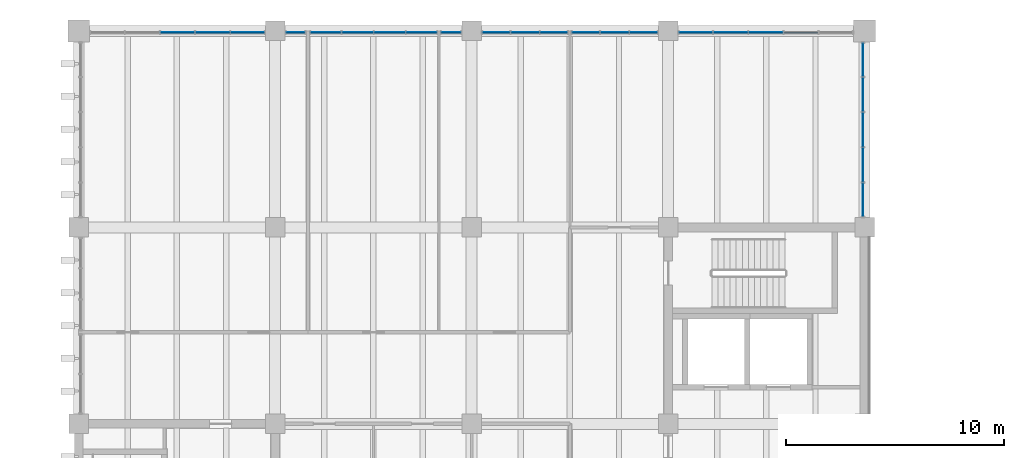
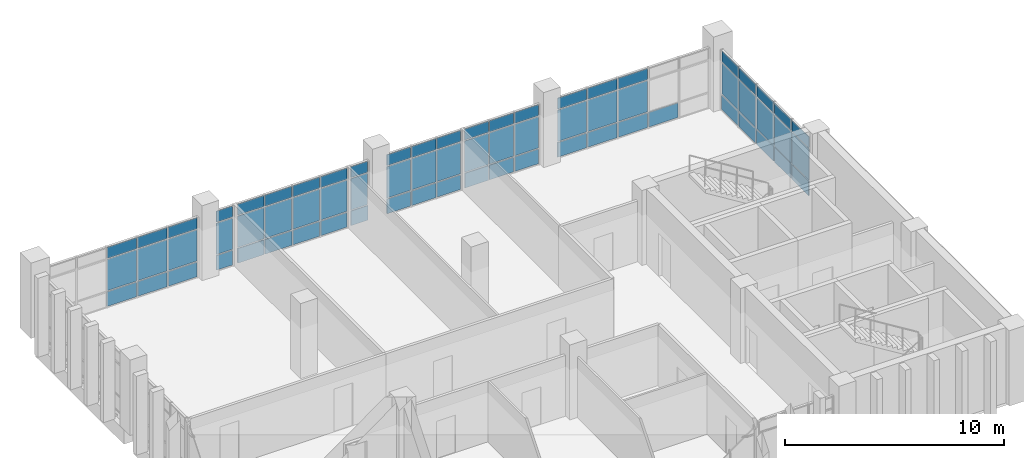
# One storey, part 39 of 74: 70 plates, 8 elements without a shape of their own.
"""IFC4 building model written with IfcOpenShell, lengths in metres."""

from ifc_helpers import new_model, si_unit, direction, frame, origin, origin_2d, place, context, subcontext, project, spatial, rectangle, extrude, material, layer, layer_set, type_object, element, aggregate, save


model = new_model("IFC4")

# Units and contexts
model_context = context("Model", 3, precision=1e-05, world=origin(), true_north=direction((0.0, 1.0)))
body_context = subcontext(model_context, "Body", "Model", "MODEL_VIEW")
ifc_project = project(units=[si_unit("LENGTHUNIT", "METRE"), si_unit("AREAUNIT", "SQUARE_METRE"), si_unit("VOLUMEUNIT", "CUBIC_METRE"), si_unit("PLANEANGLEUNIT", "RADIAN"), si_unit("MASSUNIT", "GRAM", prefix="KILO")], contexts=[model_context])

# Site, building, storey
site_placement = place(None, origin())
site = spatial("IfcSite", under=ifc_project, at=site_placement, CompositionType="ELEMENT")
building_placement = place(site_placement, origin())
building = spatial("IfcBuilding", under=site, at=building_placement, Name="Merrow Basin Faculty of Sciences", CompositionType="ELEMENT")
storey_placement = place(building_placement, frame((0.0, 0.0, 13.5)))
storey = spatial("IfcBuildingStorey", under=building, at=storey_placement, Name="L03", CompositionType="ELEMENT", Elevation=13.5)

# Curtain wall, plates
ifc_material_1 = material(Name="Aluminium alloy 6063", Category="aluminium")
curtain_wall_type = type_object("IfcCurtainWallType", Name="Unitised curtain wall 160", PredefinedType="NOTDEFINED", material=ifc_material_1)
curtain_wall_1_placement = place(storey_placement, origin())
curtain_wall_1 = element("IfcCurtainWall", 1, at=curtain_wall_1_placement, inside=storey, type_object=curtain_wall_type, Name="N curtain wall L03 1", PredefinedType="NOTDEFINED")
ifc_material_2 = material(Name="Insulated aluminium spandrel panel", Category="aluminium")
ifc_layer_1 = layer(ifc_material_2, 0.052001953125)
ifc_layer_set_1 = layer_set([ifc_layer_1], Name="Insulated spandrel panel 52")
plate_type_1 = type_object("IfcPlateType", Name="Insulated spandrel panel 52", PredefinedType="CURTAIN_PANEL", material=ifc_layer_set_1)
plate_1_placement = place(storey_placement, frame((22.52490234375, 168.919921875, 0.06005859375), z_axis=(0.0, 0.0, 1.0), x_axis=(1.0, 0.0, 0.0)))
plate_1 = element("IfcPlate", 2, at=plate_1_placement, type_object=plate_type_1, Name="CW3 panel 3.1", PredefinedType="CURTAIN_PANEL", context=body_context, shape_type="SweptSolid", body=[
    extrude(rectangle(XDim=1.550048828125, YDim=0.052001953125, at=origin_2d()), origin(), (0.0, 0.0, 1.0), 0.81005859375),
])
plate_2_placement = place(storey_placement, frame((24.135009765625, 168.919921875, 0.06005859375), z_axis=(0.0, 0.0, 1.0), x_axis=(1.0, 0.0, 0.0)))
plate_2 = element("IfcPlate", 3, at=plate_2_placement, type_object=plate_type_1, Name="CW3 panel 4.1", PredefinedType="CURTAIN_PANEL", context=body_context, shape_type="SweptSolid", body=[
    extrude(rectangle(XDim=1.550048828125, YDim=0.052001953125, at=origin_2d()), origin(), (0.0, 0.0, 1.0), 0.81005859375),
])
plate_3_placement = place(storey_placement, frame((25.72998046875, 168.919921875, 0.06005859375), z_axis=(0.0, 0.0, 1.0), x_axis=(1.0, 0.0, 0.0)))
plate_3 = element("IfcPlate", 4, at=plate_3_placement, type_object=plate_type_1, Name="CW3 panel 5.1", PredefinedType="CURTAIN_PANEL", context=body_context, shape_type="SweptSolid", body=[
    extrude(rectangle(XDim=1.52001953125, YDim=0.052001953125, at=origin_2d()), origin(), (0.0, 0.0, 1.0), 0.81005859375),
])

# Curtain wall, plate
curtain_wall_2_placement = place(storey_placement, origin())
curtain_wall_2 = element("IfcCurtainWall", 5, at=curtain_wall_2_placement, inside=storey, type_object=curtain_wall_type, Name="N curtain wall L03 2", PredefinedType="NOTDEFINED")
plate_4_placement = place(storey_placement, frame((27.9375, 168.919921875, 0.06005859375), z_axis=(0.0, 0.0, 1.0), x_axis=(1.0, 0.0, 0.0)))
plate_4 = element("IfcPlate", 6, at=plate_4_placement, type_object=plate_type_1, Name="CW3 panel 1.1", PredefinedType="CURTAIN_PANEL", context=body_context, shape_type="SweptSolid", body=[
    extrude(rectangle(XDim=0.85498046875, YDim=0.052001953125, at=origin_2d()), origin(), (0.0, 0.0, 1.0), 0.81005859375),
])

# Curtain wall, plates
curtain_wall_3_placement = place(storey_placement, origin())
curtain_wall_3 = element("IfcCurtainWall", 7, at=curtain_wall_3_placement, inside=storey, type_object=curtain_wall_type, Name="N curtain wall L03 3", PredefinedType="NOTDEFINED")
plate_5_placement = place(storey_placement, frame((29.324462890625, 168.919921875, 0.06005859375), z_axis=(0.0, 0.0, 1.0), x_axis=(1.0, 0.0, 0.0)))
plate_5 = element("IfcPlate", 8, at=plate_5_placement, type_object=plate_type_1, Name="CW3 panel 1.1", PredefinedType="CURTAIN_PANEL", context=body_context, shape_type="SweptSolid", body=[
    extrude(rectangle(XDim=1.378662109375, YDim=0.052001953125, at=origin_2d()), origin(), (0.0, 0.0, 1.0), 0.81005859375),
])
plate_6_placement = place(storey_placement, frame((30.778076171875, 168.919921875, 0.06005859375), z_axis=(0.0, 0.0, 1.0), x_axis=(1.0, 0.0, 0.0)))
plate_6 = element("IfcPlate", 9, at=plate_6_placement, type_object=plate_type_1, Name="CW3 panel 2.1", PredefinedType="CURTAIN_PANEL", context=body_context, shape_type="SweptSolid", body=[
    extrude(rectangle(XDim=1.40869140625, YDim=0.052001953125, at=origin_2d()), origin(), (0.0, 0.0, 1.0), 0.81005859375),
])
plate_7_placement = place(storey_placement, frame((32.246826171875, 168.919921875, 0.06005859375), z_axis=(0.0, 0.0, 1.0), x_axis=(1.0, 0.0, 0.0)))
plate_7 = element("IfcPlate", 10, at=plate_7_placement, type_object=plate_type_1, Name="CW3 panel 3.1", PredefinedType="CURTAIN_PANEL", context=body_context, shape_type="SweptSolid", body=[
    extrude(rectangle(XDim=1.40869140625, YDim=0.052001953125, at=origin_2d()), origin(), (0.0, 0.0, 1.0), 0.81005859375),
])
plate_8_placement = place(storey_placement, frame((33.70068359375, 168.919921875, 0.06005859375), z_axis=(0.0, 0.0, 1.0), x_axis=(1.0, 0.0, 0.0)))
plate_8 = element("IfcPlate", 11, at=plate_8_placement, type_object=plate_type_1, Name="CW3 panel 4.1", PredefinedType="CURTAIN_PANEL", context=body_context, shape_type="SweptSolid", body=[
    extrude(rectangle(XDim=1.378662109375, YDim=0.052001953125, at=origin_2d()), origin(), (0.0, 0.0, 1.0), 0.81005859375),
])

# Curtain wall, plate
curtain_wall_4_placement = place(storey_placement, origin())
curtain_wall_4 = element("IfcCurtainWall", 12, at=curtain_wall_4_placement, inside=storey, type_object=curtain_wall_type, Name="N curtain wall L03 4", PredefinedType="NOTDEFINED")
plate_9_placement = place(storey_placement, frame((35.050048828125, 168.919921875, 0.06005859375), z_axis=(0.0, 0.0, 1.0), x_axis=(1.0, 0.0, 0.0)))
plate_9 = element("IfcPlate", 13, at=plate_9_placement, type_object=plate_type_1, Name="CW3 panel 1.1", PredefinedType="CURTAIN_PANEL", context=body_context, shape_type="SweptSolid", body=[
    extrude(rectangle(XDim=0.8798828125, YDim=0.052001953125, at=origin_2d()), origin(), (0.0, 0.0, 1.0), 0.81005859375),
])

# Curtain wall, plates
curtain_wall_5_placement = place(storey_placement, origin())
curtain_wall_5 = element("IfcCurtainWall", 14, at=curtain_wall_5_placement, inside=storey, type_object=curtain_wall_type, Name="N curtain wall L03 5", PredefinedType="NOTDEFINED")
plate_10_placement = place(storey_placement, frame((37.131591796875, 168.919921875, 0.06005859375), z_axis=(0.0, 0.0, 1.0), x_axis=(1.0, 0.0, 0.0)))
plate_10 = element("IfcPlate", 15, at=plate_10_placement, type_object=plate_type_1, Name="CW3 panel 1.1", PredefinedType="CURTAIN_PANEL", context=body_context, shape_type="SweptSolid", body=[
    extrude(rectangle(XDim=1.243408203125, YDim=0.052001953125, at=origin_2d()), origin(), (0.0, 0.0, 1.0), 0.81005859375),
])
plate_11_placement = place(storey_placement, frame((38.449951171875, 168.919921875, 0.06005859375), z_axis=(0.0, 0.0, 1.0), x_axis=(1.0, 0.0, 0.0)))
plate_11 = element("IfcPlate", 16, at=plate_11_placement, type_object=plate_type_1, Name="CW3 panel 2.1", PredefinedType="CURTAIN_PANEL", context=body_context, shape_type="SweptSolid", body=[
    extrude(rectangle(XDim=1.2734375, YDim=0.052001953125, at=origin_2d()), origin(), (0.0, 0.0, 1.0), 0.81005859375),
])
plate_12_placement = place(storey_placement, frame((39.768310546875, 168.919921875, 0.06005859375), z_axis=(0.0, 0.0, 1.0), x_axis=(1.0, 0.0, 0.0)))
plate_12 = element("IfcPlate", 17, at=plate_12_placement, type_object=plate_type_1, Name="CW3 panel 3.1", PredefinedType="CURTAIN_PANEL", context=body_context, shape_type="SweptSolid", body=[
    extrude(rectangle(XDim=1.243408203125, YDim=0.052001953125, at=origin_2d()), origin(), (0.0, 0.0, 1.0), 0.81005859375),
])

curtain_wall_6_placement = place(storey_placement, origin())
curtain_wall_6 = element("IfcCurtainWall", 18, at=curtain_wall_6_placement, inside=storey, type_object=curtain_wall_type, Name="N curtain wall L03 6", PredefinedType="NOTDEFINED")
plate_13_placement = place(storey_placement, frame((41.231689453125, 168.919921875, 0.06005859375), z_axis=(0.0, 0.0, 1.0), x_axis=(1.0, 0.0, 0.0)))
plate_13 = element("IfcPlate", 19, at=plate_13_placement, type_object=plate_type_1, Name="CW3 panel 1.1", PredefinedType="CURTAIN_PANEL", context=body_context, shape_type="SweptSolid", body=[
    extrude(rectangle(XDim=1.243408203125, YDim=0.052001953125, at=origin_2d()), origin(), (0.0, 0.0, 1.0), 0.81005859375),
])
plate_14_placement = place(storey_placement, frame((42.550048828125, 168.919921875, 0.06005859375), z_axis=(0.0, 0.0, 1.0), x_axis=(1.0, 0.0, 0.0)))
plate_14 = element("IfcPlate", 20, at=plate_14_placement, type_object=plate_type_1, Name="CW3 panel 2.1", PredefinedType="CURTAIN_PANEL", context=body_context, shape_type="SweptSolid", body=[
    extrude(rectangle(XDim=1.2734375, YDim=0.052001953125, at=origin_2d()), origin(), (0.0, 0.0, 1.0), 0.81005859375),
])
plate_15_placement = place(storey_placement, frame((43.868408203125, 168.919921875, 0.06005859375), z_axis=(0.0, 0.0, 1.0), x_axis=(1.0, 0.0, 0.0)))
plate_15 = element("IfcPlate", 21, at=plate_15_placement, type_object=plate_type_1, Name="CW3 panel 3.1", PredefinedType="CURTAIN_PANEL", context=body_context, shape_type="SweptSolid", body=[
    extrude(rectangle(XDim=1.243408203125, YDim=0.052001953125, at=origin_2d()), origin(), (0.0, 0.0, 1.0), 0.81005859375),
])

curtain_wall_7_placement = place(storey_placement, origin())
curtain_wall_7 = element("IfcCurtainWall", 22, at=curtain_wall_7_placement, inside=storey, type_object=curtain_wall_type, Name="N curtain wall L03 7", PredefinedType="NOTDEFINED")
plate_16_placement = place(storey_placement, frame((46.27001953125, 168.919921875, 0.06005859375), z_axis=(0.0, 0.0, 1.0), x_axis=(1.0, 0.0, 0.0)))
plate_16 = element("IfcPlate", 23, at=plate_16_placement, type_object=plate_type_1, Name="CW3 panel 1.1", PredefinedType="CURTAIN_PANEL", context=body_context, shape_type="SweptSolid", body=[
    extrude(rectangle(XDim=1.52001953125, YDim=0.052001953125, at=origin_2d()), origin(), (0.0, 0.0, 1.0), 0.81005859375),
])
plate_17_placement = place(storey_placement, frame((47.864990234375, 168.919921875, 0.06005859375), z_axis=(0.0, 0.0, 1.0), x_axis=(1.0, 0.0, 0.0)))
plate_17 = element("IfcPlate", 24, at=plate_17_placement, type_object=plate_type_1, Name="CW3 panel 2.1", PredefinedType="CURTAIN_PANEL", context=body_context, shape_type="SweptSolid", body=[
    extrude(rectangle(XDim=1.550048828125, YDim=0.052001953125, at=origin_2d()), origin(), (0.0, 0.0, 1.0), 0.81005859375),
])
plate_18_placement = place(storey_placement, frame((49.47509765625, 168.919921875, 0.06005859375), z_axis=(0.0, 0.0, 1.0), x_axis=(1.0, 0.0, 0.0)))
plate_18 = element("IfcPlate", 25, at=plate_18_placement, type_object=plate_type_1, Name="CW3 panel 3.1", PredefinedType="CURTAIN_PANEL", context=body_context, shape_type="SweptSolid", body=[
    extrude(rectangle(XDim=1.550048828125, YDim=0.052001953125, at=origin_2d()), origin(), (0.0, 0.0, 1.0), 0.81005859375),
])
plate_19_placement = place(storey_placement, frame((51.0849609375, 168.919921875, 0.06005859375), z_axis=(0.0, 0.0, 1.0), x_axis=(1.0, 0.0, 0.0)))
plate_19 = element("IfcPlate", 26, at=plate_19_placement, type_object=plate_type_1, Name="CW3 panel 4.1", PredefinedType="CURTAIN_PANEL", context=body_context, shape_type="SweptSolid", body=[
    extrude(rectangle(XDim=1.550048828125, YDim=0.052001953125, at=origin_2d()), origin(), (0.0, 0.0, 1.0), 0.81005859375),
])

curtain_wall_8_placement = place(storey_placement, origin())
curtain_wall_8 = element("IfcCurtainWall", 27, at=curtain_wall_8_placement, inside=storey, type_object=curtain_wall_type, Name="E curtain wall L03 1", PredefinedType="NOTDEFINED")
plate_20_placement = place(storey_placement, frame((53.919921875, 161.27001953125, 0.06005859375), z_axis=(0.0, 0.0, 1.0), x_axis=(0.0, 1.0, 0.0)))
plate_20 = element("IfcPlate", 28, at=plate_20_placement, type_object=plate_type_1, Name="CW3 panel 1.1", PredefinedType="CURTAIN_PANEL", context=body_context, shape_type="SweptSolid", body=[
    extrude(rectangle(XDim=1.52001953125, YDim=0.052001953125, at=origin_2d()), origin(), (0.0, 0.0, 1.0), 0.81005859375),
])
plate_21_placement = place(storey_placement, frame((53.919921875, 162.864990234375, 0.06005859375), z_axis=(0.0, 0.0, 1.0), x_axis=(0.0, 1.0, 0.0)))
plate_21 = element("IfcPlate", 29, at=plate_21_placement, type_object=plate_type_1, Name="CW3 panel 2.1", PredefinedType="CURTAIN_PANEL", context=body_context, shape_type="SweptSolid", body=[
    extrude(rectangle(XDim=1.550048828125, YDim=0.052001953125, at=origin_2d()), origin(), (0.0, 0.0, 1.0), 0.81005859375),
])
plate_22_placement = place(storey_placement, frame((53.919921875, 164.47509765625, 0.06005859375), z_axis=(0.0, 0.0, 1.0), x_axis=(0.0, 1.0, 0.0)))
plate_22 = element("IfcPlate", 30, at=plate_22_placement, type_object=plate_type_1, Name="CW3 panel 3.1", PredefinedType="CURTAIN_PANEL", context=body_context, shape_type="SweptSolid", body=[
    extrude(rectangle(XDim=1.550048828125, YDim=0.052001953125, at=origin_2d()), origin(), (0.0, 0.0, 1.0), 0.81005859375),
])
plate_23_placement = place(storey_placement, frame((53.919921875, 166.0849609375, 0.06005859375), z_axis=(0.0, 0.0, 1.0), x_axis=(0.0, 1.0, 0.0)))
plate_23 = element("IfcPlate", 31, at=plate_23_placement, type_object=plate_type_1, Name="CW3 panel 4.1", PredefinedType="CURTAIN_PANEL", context=body_context, shape_type="SweptSolid", body=[
    extrude(rectangle(XDim=1.550048828125, YDim=0.052001953125, at=origin_2d()), origin(), (0.0, 0.0, 1.0), 0.81005859375),
])
plate_24_placement = place(storey_placement, frame((53.919921875, 167.679931640625, 0.06005859375), z_axis=(0.0, 0.0, 1.0), x_axis=(0.0, 1.0, 0.0)))
plate_24 = element("IfcPlate", 32, at=plate_24_placement, type_object=plate_type_1, Name="CW3 panel 5.1", PredefinedType="CURTAIN_PANEL", context=body_context, shape_type="SweptSolid", body=[
    extrude(rectangle(XDim=1.52001953125, YDim=0.052001953125, at=origin_2d()), origin(), (0.0, 0.0, 1.0), 0.81005859375),
])

# Plate
ifc_material_3 = material(Name="Low-E double glazing", Category="glass")
ifc_layer_2 = layer(ifc_material_3, 0.028076171875)
ifc_layer_set_2 = layer_set([ifc_layer_2], Name="Low-E double glazed panel 28")
plate_type_2 = type_object("IfcPlateType", Name="Low-E double glazed panel 28", PredefinedType="CURTAIN_PANEL", material=ifc_layer_set_2)
plate_25_placement = place(storey_placement, frame((22.52490234375, 168.919921875, 0.93017578125), z_axis=(0.0, 0.0, 1.0), x_axis=(1.0, 0.0, 0.0)))
plate_25 = element("IfcPlate", 33, at=plate_25_placement, type_object=plate_type_2, Name="CW3 panel 3.2", PredefinedType="CURTAIN_PANEL", context=body_context, shape_type="SweptSolid", body=[
    extrude(rectangle(XDim=1.550048828125, YDim=0.028076171875, at=origin_2d()), origin(), (0.0, 0.0, 1.0), 1.739990234375),
])

plate_26_placement = place(storey_placement, frame((22.52490234375, 168.919921875, 2.72998046875), z_axis=(0.0, 0.0, 1.0), x_axis=(1.0, 0.0, 0.0)))
plate_26 = element("IfcPlate", 34, at=plate_26_placement, type_object=plate_type_2, Name="CW3 panel 3.3", PredefinedType="CURTAIN_PANEL", context=body_context, shape_type="SweptSolid", body=[
    extrude(rectangle(XDim=1.550048828125, YDim=0.028076171875, at=origin_2d()), origin(), (0.0, 0.0, 1.0), 0.610107421875),
])

plate_27_placement = place(storey_placement, frame((24.135009765625, 168.919921875, 0.93017578125), z_axis=(0.0, 0.0, 1.0), x_axis=(1.0, 0.0, 0.0)))
plate_27 = element("IfcPlate", 35, at=plate_27_placement, type_object=plate_type_2, Name="CW3 panel 4.2", PredefinedType="CURTAIN_PANEL", context=body_context, shape_type="SweptSolid", body=[
    extrude(rectangle(XDim=1.550048828125, YDim=0.028076171875, at=origin_2d()), origin(), (0.0, 0.0, 1.0), 1.739990234375),
])

plate_28_placement = place(storey_placement, frame((24.135009765625, 168.919921875, 2.72998046875), z_axis=(0.0, 0.0, 1.0), x_axis=(1.0, 0.0, 0.0)))
plate_28 = element("IfcPlate", 36, at=plate_28_placement, type_object=plate_type_2, Name="CW3 panel 4.3", PredefinedType="CURTAIN_PANEL", context=body_context, shape_type="SweptSolid", body=[
    extrude(rectangle(XDim=1.550048828125, YDim=0.028076171875, at=origin_2d()), origin(), (0.0, 0.0, 1.0), 0.610107421875),
])

plate_29_placement = place(storey_placement, frame((25.72998046875, 168.919921875, 0.93017578125), z_axis=(0.0, 0.0, 1.0), x_axis=(1.0, 0.0, 0.0)))
plate_29 = element("IfcPlate", 37, at=plate_29_placement, type_object=plate_type_2, Name="CW3 panel 5.2", PredefinedType="CURTAIN_PANEL", context=body_context, shape_type="SweptSolid", body=[
    extrude(rectangle(XDim=1.52001953125, YDim=0.028076171875, at=origin_2d()), origin(), (0.0, 0.0, 1.0), 1.739990234375),
])

plate_30_placement = place(storey_placement, frame((25.72998046875, 168.919921875, 2.72998046875), z_axis=(0.0, 0.0, 1.0), x_axis=(1.0, 0.0, 0.0)))
plate_30 = element("IfcPlate", 38, at=plate_30_placement, type_object=plate_type_2, Name="CW3 panel 5.3", PredefinedType="CURTAIN_PANEL", context=body_context, shape_type="SweptSolid", body=[
    extrude(rectangle(XDim=1.52001953125, YDim=0.028076171875, at=origin_2d()), origin(), (0.0, 0.0, 1.0), 0.610107421875),
])

aggregate(curtain_wall_1, [plate_1, plate_25, plate_26, plate_2, plate_27, plate_28, plate_3, plate_29, plate_30])

plate_31_placement = place(storey_placement, frame((27.9375, 168.919921875, 0.93017578125), z_axis=(0.0, 0.0, 1.0), x_axis=(1.0, 0.0, 0.0)))
plate_31 = element("IfcPlate", 39, at=plate_31_placement, type_object=plate_type_2, Name="CW3 panel 1.2", PredefinedType="CURTAIN_PANEL", context=body_context, shape_type="SweptSolid", body=[
    extrude(rectangle(XDim=0.85498046875, YDim=0.028076171875, at=origin_2d()), origin(), (0.0, 0.0, 1.0), 1.739990234375),
])

plate_32_placement = place(storey_placement, frame((27.9375, 168.919921875, 2.72998046875), z_axis=(0.0, 0.0, 1.0), x_axis=(1.0, 0.0, 0.0)))
plate_32 = element("IfcPlate", 40, at=plate_32_placement, type_object=plate_type_2, Name="CW3 panel 1.3", PredefinedType="CURTAIN_PANEL", context=body_context, shape_type="SweptSolid", body=[
    extrude(rectangle(XDim=0.85498046875, YDim=0.028076171875, at=origin_2d()), origin(), (0.0, 0.0, 1.0), 0.610107421875),
])

aggregate(curtain_wall_2, [plate_4, plate_31, plate_32])

plate_33_placement = place(storey_placement, frame((29.324462890625, 168.919921875, 0.93017578125), z_axis=(0.0, 0.0, 1.0), x_axis=(1.0, 0.0, 0.0)))
plate_33 = element("IfcPlate", 41, at=plate_33_placement, type_object=plate_type_2, Name="CW3 panel 1.2", PredefinedType="CURTAIN_PANEL", context=body_context, shape_type="SweptSolid", body=[
    extrude(rectangle(XDim=1.378662109375, YDim=0.028076171875, at=origin_2d()), origin(), (0.0, 0.0, 1.0), 1.739990234375),
])

plate_34_placement = place(storey_placement, frame((29.324462890625, 168.919921875, 2.72998046875), z_axis=(0.0, 0.0, 1.0), x_axis=(1.0, 0.0, 0.0)))
plate_34 = element("IfcPlate", 42, at=plate_34_placement, type_object=plate_type_2, Name="CW3 panel 1.3", PredefinedType="CURTAIN_PANEL", context=body_context, shape_type="SweptSolid", body=[
    extrude(rectangle(XDim=1.378662109375, YDim=0.028076171875, at=origin_2d()), origin(), (0.0, 0.0, 1.0), 0.610107421875),
])

plate_35_placement = place(storey_placement, frame((30.778076171875, 168.919921875, 0.93017578125), z_axis=(0.0, 0.0, 1.0), x_axis=(1.0, 0.0, 0.0)))
plate_35 = element("IfcPlate", 43, at=plate_35_placement, type_object=plate_type_2, Name="CW3 panel 2.2", PredefinedType="CURTAIN_PANEL", context=body_context, shape_type="SweptSolid", body=[
    extrude(rectangle(XDim=1.40869140625, YDim=0.028076171875, at=origin_2d()), origin(), (0.0, 0.0, 1.0), 1.739990234375),
])

plate_36_placement = place(storey_placement, frame((30.778076171875, 168.919921875, 2.72998046875), z_axis=(0.0, 0.0, 1.0), x_axis=(1.0, 0.0, 0.0)))
plate_36 = element("IfcPlate", 44, at=plate_36_placement, type_object=plate_type_2, Name="CW3 panel 2.3", PredefinedType="CURTAIN_PANEL", context=body_context, shape_type="SweptSolid", body=[
    extrude(rectangle(XDim=1.40869140625, YDim=0.028076171875, at=origin_2d()), origin(), (0.0, 0.0, 1.0), 0.610107421875),
])

plate_37_placement = place(storey_placement, frame((32.246826171875, 168.919921875, 0.93017578125), z_axis=(0.0, 0.0, 1.0), x_axis=(1.0, 0.0, 0.0)))
plate_37 = element("IfcPlate", 45, at=plate_37_placement, type_object=plate_type_2, Name="CW3 panel 3.2", PredefinedType="CURTAIN_PANEL", context=body_context, shape_type="SweptSolid", body=[
    extrude(rectangle(XDim=1.40869140625, YDim=0.028076171875, at=origin_2d()), origin(), (0.0, 0.0, 1.0), 1.739990234375),
])

plate_38_placement = place(storey_placement, frame((32.246826171875, 168.919921875, 2.72998046875), z_axis=(0.0, 0.0, 1.0), x_axis=(1.0, 0.0, 0.0)))
plate_38 = element("IfcPlate", 46, at=plate_38_placement, type_object=plate_type_2, Name="CW3 panel 3.3", PredefinedType="CURTAIN_PANEL", context=body_context, shape_type="SweptSolid", body=[
    extrude(rectangle(XDim=1.40869140625, YDim=0.028076171875, at=origin_2d()), origin(), (0.0, 0.0, 1.0), 0.610107421875),
])

plate_39_placement = place(storey_placement, frame((33.70068359375, 168.919921875, 0.93017578125), z_axis=(0.0, 0.0, 1.0), x_axis=(1.0, 0.0, 0.0)))
plate_39 = element("IfcPlate", 47, at=plate_39_placement, type_object=plate_type_2, Name="CW3 panel 4.2", PredefinedType="CURTAIN_PANEL", context=body_context, shape_type="SweptSolid", body=[
    extrude(rectangle(XDim=1.378662109375, YDim=0.028076171875, at=origin_2d()), origin(), (0.0, 0.0, 1.0), 1.739990234375),
])

plate_40_placement = place(storey_placement, frame((33.70068359375, 168.919921875, 2.72998046875), z_axis=(0.0, 0.0, 1.0), x_axis=(1.0, 0.0, 0.0)))
plate_40 = element("IfcPlate", 48, at=plate_40_placement, type_object=plate_type_2, Name="CW3 panel 4.3", PredefinedType="CURTAIN_PANEL", context=body_context, shape_type="SweptSolid", body=[
    extrude(rectangle(XDim=1.378662109375, YDim=0.028076171875, at=origin_2d()), origin(), (0.0, 0.0, 1.0), 0.610107421875),
])

aggregate(curtain_wall_3, [plate_5, plate_33, plate_34, plate_6, plate_35, plate_36, plate_7, plate_37, plate_38, plate_8, plate_39, plate_40])

plate_41_placement = place(storey_placement, frame((35.050048828125, 168.919921875, 0.93017578125), z_axis=(0.0, 0.0, 1.0), x_axis=(1.0, 0.0, 0.0)))
plate_41 = element("IfcPlate", 49, at=plate_41_placement, type_object=plate_type_2, Name="CW3 panel 1.2", PredefinedType="CURTAIN_PANEL", context=body_context, shape_type="SweptSolid", body=[
    extrude(rectangle(XDim=0.8798828125, YDim=0.028076171875, at=origin_2d()), origin(), (0.0, 0.0, 1.0), 1.739990234375),
])

plate_42_placement = place(storey_placement, frame((35.050048828125, 168.919921875, 2.72998046875), z_axis=(0.0, 0.0, 1.0), x_axis=(1.0, 0.0, 0.0)))
plate_42 = element("IfcPlate", 50, at=plate_42_placement, type_object=plate_type_2, Name="CW3 panel 1.3", PredefinedType="CURTAIN_PANEL", context=body_context, shape_type="SweptSolid", body=[
    extrude(rectangle(XDim=0.8798828125, YDim=0.028076171875, at=origin_2d()), origin(), (0.0, 0.0, 1.0), 0.610107421875),
])

aggregate(curtain_wall_4, [plate_9, plate_41, plate_42])

plate_43_placement = place(storey_placement, frame((37.131591796875, 168.919921875, 0.93017578125), z_axis=(0.0, 0.0, 1.0), x_axis=(1.0, 0.0, 0.0)))
plate_43 = element("IfcPlate", 51, at=plate_43_placement, type_object=plate_type_2, Name="CW3 panel 1.2", PredefinedType="CURTAIN_PANEL", context=body_context, shape_type="SweptSolid", body=[
    extrude(rectangle(XDim=1.243408203125, YDim=0.028076171875, at=origin_2d()), origin(), (0.0, 0.0, 1.0), 1.739990234375),
])

plate_44_placement = place(storey_placement, frame((37.131591796875, 168.919921875, 2.72998046875), z_axis=(0.0, 0.0, 1.0), x_axis=(1.0, 0.0, 0.0)))
plate_44 = element("IfcPlate", 52, at=plate_44_placement, type_object=plate_type_2, Name="CW3 panel 1.3", PredefinedType="CURTAIN_PANEL", context=body_context, shape_type="SweptSolid", body=[
    extrude(rectangle(XDim=1.243408203125, YDim=0.028076171875, at=origin_2d()), origin(), (0.0, 0.0, 1.0), 0.610107421875),
])

plate_45_placement = place(storey_placement, frame((38.449951171875, 168.919921875, 0.93017578125), z_axis=(0.0, 0.0, 1.0), x_axis=(1.0, 0.0, 0.0)))
plate_45 = element("IfcPlate", 53, at=plate_45_placement, type_object=plate_type_2, Name="CW3 panel 2.2", PredefinedType="CURTAIN_PANEL", context=body_context, shape_type="SweptSolid", body=[
    extrude(rectangle(XDim=1.2734375, YDim=0.028076171875, at=origin_2d()), origin(), (0.0, 0.0, 1.0), 1.739990234375),
])

plate_46_placement = place(storey_placement, frame((38.449951171875, 168.919921875, 2.72998046875), z_axis=(0.0, 0.0, 1.0), x_axis=(1.0, 0.0, 0.0)))
plate_46 = element("IfcPlate", 54, at=plate_46_placement, type_object=plate_type_2, Name="CW3 panel 2.3", PredefinedType="CURTAIN_PANEL", context=body_context, shape_type="SweptSolid", body=[
    extrude(rectangle(XDim=1.2734375, YDim=0.028076171875, at=origin_2d()), origin(), (0.0, 0.0, 1.0), 0.610107421875),
])

plate_47_placement = place(storey_placement, frame((39.768310546875, 168.919921875, 0.93017578125), z_axis=(0.0, 0.0, 1.0), x_axis=(1.0, 0.0, 0.0)))
plate_47 = element("IfcPlate", 55, at=plate_47_placement, type_object=plate_type_2, Name="CW3 panel 3.2", PredefinedType="CURTAIN_PANEL", context=body_context, shape_type="SweptSolid", body=[
    extrude(rectangle(XDim=1.243408203125, YDim=0.028076171875, at=origin_2d()), origin(), (0.0, 0.0, 1.0), 1.739990234375),
])

plate_48_placement = place(storey_placement, frame((39.768310546875, 168.919921875, 2.72998046875), z_axis=(0.0, 0.0, 1.0), x_axis=(1.0, 0.0, 0.0)))
plate_48 = element("IfcPlate", 56, at=plate_48_placement, type_object=plate_type_2, Name="CW3 panel 3.3", PredefinedType="CURTAIN_PANEL", context=body_context, shape_type="SweptSolid", body=[
    extrude(rectangle(XDim=1.243408203125, YDim=0.028076171875, at=origin_2d()), origin(), (0.0, 0.0, 1.0), 0.610107421875),
])

aggregate(curtain_wall_5, [plate_10, plate_43, plate_44, plate_11, plate_45, plate_46, plate_12, plate_47, plate_48])

plate_49_placement = place(storey_placement, frame((41.231689453125, 168.919921875, 0.93017578125), z_axis=(0.0, 0.0, 1.0), x_axis=(1.0, 0.0, 0.0)))
plate_49 = element("IfcPlate", 57, at=plate_49_placement, type_object=plate_type_2, Name="CW3 panel 1.2", PredefinedType="CURTAIN_PANEL", context=body_context, shape_type="SweptSolid", body=[
    extrude(rectangle(XDim=1.243408203125, YDim=0.028076171875, at=origin_2d()), origin(), (0.0, 0.0, 1.0), 1.739990234375),
])

plate_50_placement = place(storey_placement, frame((41.231689453125, 168.919921875, 2.72998046875), z_axis=(0.0, 0.0, 1.0), x_axis=(1.0, 0.0, 0.0)))
plate_50 = element("IfcPlate", 58, at=plate_50_placement, type_object=plate_type_2, Name="CW3 panel 1.3", PredefinedType="CURTAIN_PANEL", context=body_context, shape_type="SweptSolid", body=[
    extrude(rectangle(XDim=1.243408203125, YDim=0.028076171875, at=origin_2d()), origin(), (0.0, 0.0, 1.0), 0.610107421875),
])

plate_51_placement = place(storey_placement, frame((42.550048828125, 168.919921875, 0.93017578125), z_axis=(0.0, 0.0, 1.0), x_axis=(1.0, 0.0, 0.0)))
plate_51 = element("IfcPlate", 59, at=plate_51_placement, type_object=plate_type_2, Name="CW3 panel 2.2", PredefinedType="CURTAIN_PANEL", context=body_context, shape_type="SweptSolid", body=[
    extrude(rectangle(XDim=1.2734375, YDim=0.028076171875, at=origin_2d()), origin(), (0.0, 0.0, 1.0), 1.739990234375),
])

plate_52_placement = place(storey_placement, frame((42.550048828125, 168.919921875, 2.72998046875), z_axis=(0.0, 0.0, 1.0), x_axis=(1.0, 0.0, 0.0)))
plate_52 = element("IfcPlate", 60, at=plate_52_placement, type_object=plate_type_2, Name="CW3 panel 2.3", PredefinedType="CURTAIN_PANEL", context=body_context, shape_type="SweptSolid", body=[
    extrude(rectangle(XDim=1.2734375, YDim=0.028076171875, at=origin_2d()), origin(), (0.0, 0.0, 1.0), 0.610107421875),
])

plate_53_placement = place(storey_placement, frame((43.868408203125, 168.919921875, 0.93017578125), z_axis=(0.0, 0.0, 1.0), x_axis=(1.0, 0.0, 0.0)))
plate_53 = element("IfcPlate", 61, at=plate_53_placement, type_object=plate_type_2, Name="CW3 panel 3.2", PredefinedType="CURTAIN_PANEL", context=body_context, shape_type="SweptSolid", body=[
    extrude(rectangle(XDim=1.243408203125, YDim=0.028076171875, at=origin_2d()), origin(), (0.0, 0.0, 1.0), 1.739990234375),
])

plate_54_placement = place(storey_placement, frame((43.868408203125, 168.919921875, 2.72998046875), z_axis=(0.0, 0.0, 1.0), x_axis=(1.0, 0.0, 0.0)))
plate_54 = element("IfcPlate", 62, at=plate_54_placement, type_object=plate_type_2, Name="CW3 panel 3.3", PredefinedType="CURTAIN_PANEL", context=body_context, shape_type="SweptSolid", body=[
    extrude(rectangle(XDim=1.243408203125, YDim=0.028076171875, at=origin_2d()), origin(), (0.0, 0.0, 1.0), 0.610107421875),
])

aggregate(curtain_wall_6, [plate_13, plate_49, plate_50, plate_14, plate_51, plate_52, plate_15, plate_53, plate_54])

plate_55_placement = place(storey_placement, frame((46.27001953125, 168.919921875, 0.93017578125), z_axis=(0.0, 0.0, 1.0), x_axis=(1.0, 0.0, 0.0)))
plate_55 = element("IfcPlate", 63, at=plate_55_placement, type_object=plate_type_2, Name="CW3 panel 1.2", PredefinedType="CURTAIN_PANEL", context=body_context, shape_type="SweptSolid", body=[
    extrude(rectangle(XDim=1.52001953125, YDim=0.028076171875, at=origin_2d()), origin(), (0.0, 0.0, 1.0), 1.739990234375),
])

plate_56_placement = place(storey_placement, frame((46.27001953125, 168.919921875, 2.72998046875), z_axis=(0.0, 0.0, 1.0), x_axis=(1.0, 0.0, 0.0)))
plate_56 = element("IfcPlate", 64, at=plate_56_placement, type_object=plate_type_2, Name="CW3 panel 1.3", PredefinedType="CURTAIN_PANEL", context=body_context, shape_type="SweptSolid", body=[
    extrude(rectangle(XDim=1.52001953125, YDim=0.028076171875, at=origin_2d()), origin(), (0.0, 0.0, 1.0), 0.610107421875),
])

plate_57_placement = place(storey_placement, frame((47.864990234375, 168.919921875, 0.93017578125), z_axis=(0.0, 0.0, 1.0), x_axis=(1.0, 0.0, 0.0)))
plate_57 = element("IfcPlate", 65, at=plate_57_placement, type_object=plate_type_2, Name="CW3 panel 2.2", PredefinedType="CURTAIN_PANEL", context=body_context, shape_type="SweptSolid", body=[
    extrude(rectangle(XDim=1.550048828125, YDim=0.028076171875, at=origin_2d()), origin(), (0.0, 0.0, 1.0), 1.739990234375),
])

plate_58_placement = place(storey_placement, frame((47.864990234375, 168.919921875, 2.72998046875), z_axis=(0.0, 0.0, 1.0), x_axis=(1.0, 0.0, 0.0)))
plate_58 = element("IfcPlate", 66, at=plate_58_placement, type_object=plate_type_2, Name="CW3 panel 2.3", PredefinedType="CURTAIN_PANEL", context=body_context, shape_type="SweptSolid", body=[
    extrude(rectangle(XDim=1.550048828125, YDim=0.028076171875, at=origin_2d()), origin(), (0.0, 0.0, 1.0), 0.610107421875),
])

plate_59_placement = place(storey_placement, frame((49.47509765625, 168.919921875, 0.93017578125), z_axis=(0.0, 0.0, 1.0), x_axis=(1.0, 0.0, 0.0)))
plate_59 = element("IfcPlate", 67, at=plate_59_placement, type_object=plate_type_2, Name="CW3 panel 3.2", PredefinedType="CURTAIN_PANEL", context=body_context, shape_type="SweptSolid", body=[
    extrude(rectangle(XDim=1.550048828125, YDim=0.028076171875, at=origin_2d()), origin(), (0.0, 0.0, 1.0), 1.739990234375),
])

plate_60_placement = place(storey_placement, frame((49.47509765625, 168.919921875, 2.72998046875), z_axis=(0.0, 0.0, 1.0), x_axis=(1.0, 0.0, 0.0)))
plate_60 = element("IfcPlate", 68, at=plate_60_placement, type_object=plate_type_2, Name="CW3 panel 3.3", PredefinedType="CURTAIN_PANEL", context=body_context, shape_type="SweptSolid", body=[
    extrude(rectangle(XDim=1.550048828125, YDim=0.028076171875, at=origin_2d()), origin(), (0.0, 0.0, 1.0), 0.610107421875),
])

aggregate(curtain_wall_7, [plate_16, plate_55, plate_56, plate_17, plate_57, plate_58, plate_18, plate_59, plate_60, plate_19])

plate_61_placement = place(storey_placement, frame((53.919921875, 161.27001953125, 0.93017578125), z_axis=(0.0, 0.0, 1.0), x_axis=(0.0, 1.0, 0.0)))
plate_61 = element("IfcPlate", 69, at=plate_61_placement, type_object=plate_type_2, Name="CW3 panel 1.2", PredefinedType="CURTAIN_PANEL", context=body_context, shape_type="SweptSolid", body=[
    extrude(rectangle(XDim=1.52001953125, YDim=0.028076171875, at=origin_2d()), origin(), (0.0, 0.0, 1.0), 1.739990234375),
])

plate_62_placement = place(storey_placement, frame((53.919921875, 161.27001953125, 2.72998046875), z_axis=(0.0, 0.0, 1.0), x_axis=(0.0, 1.0, 0.0)))
plate_62 = element("IfcPlate", 70, at=plate_62_placement, type_object=plate_type_2, Name="CW3 panel 1.3", PredefinedType="CURTAIN_PANEL", context=body_context, shape_type="SweptSolid", body=[
    extrude(rectangle(XDim=1.52001953125, YDim=0.028076171875, at=origin_2d()), origin(), (0.0, 0.0, 1.0), 0.610107421875),
])

plate_63_placement = place(storey_placement, frame((53.919921875, 162.864990234375, 0.93017578125), z_axis=(0.0, 0.0, 1.0), x_axis=(0.0, 1.0, 0.0)))
plate_63 = element("IfcPlate", 71, at=plate_63_placement, type_object=plate_type_2, Name="CW3 panel 2.2", PredefinedType="CURTAIN_PANEL", context=body_context, shape_type="SweptSolid", body=[
    extrude(rectangle(XDim=1.550048828125, YDim=0.028076171875, at=origin_2d()), origin(), (0.0, 0.0, 1.0), 1.739990234375),
])

plate_64_placement = place(storey_placement, frame((53.919921875, 162.864990234375, 2.72998046875), z_axis=(0.0, 0.0, 1.0), x_axis=(0.0, 1.0, 0.0)))
plate_64 = element("IfcPlate", 72, at=plate_64_placement, type_object=plate_type_2, Name="CW3 panel 2.3", PredefinedType="CURTAIN_PANEL", context=body_context, shape_type="SweptSolid", body=[
    extrude(rectangle(XDim=1.550048828125, YDim=0.028076171875, at=origin_2d()), origin(), (0.0, 0.0, 1.0), 0.610107421875),
])

plate_65_placement = place(storey_placement, frame((53.919921875, 164.47509765625, 0.93017578125), z_axis=(0.0, 0.0, 1.0), x_axis=(0.0, 1.0, 0.0)))
plate_65 = element("IfcPlate", 73, at=plate_65_placement, type_object=plate_type_2, Name="CW3 panel 3.2", PredefinedType="CURTAIN_PANEL", context=body_context, shape_type="SweptSolid", body=[
    extrude(rectangle(XDim=1.550048828125, YDim=0.028076171875, at=origin_2d()), origin(), (0.0, 0.0, 1.0), 1.739990234375),
])

plate_66_placement = place(storey_placement, frame((53.919921875, 164.47509765625, 2.72998046875), z_axis=(0.0, 0.0, 1.0), x_axis=(0.0, 1.0, 0.0)))
plate_66 = element("IfcPlate", 74, at=plate_66_placement, type_object=plate_type_2, Name="CW3 panel 3.3", PredefinedType="CURTAIN_PANEL", context=body_context, shape_type="SweptSolid", body=[
    extrude(rectangle(XDim=1.550048828125, YDim=0.028076171875, at=origin_2d()), origin(), (0.0, 0.0, 1.0), 0.610107421875),
])

plate_67_placement = place(storey_placement, frame((53.919921875, 166.0849609375, 0.93017578125), z_axis=(0.0, 0.0, 1.0), x_axis=(0.0, 1.0, 0.0)))
plate_67 = element("IfcPlate", 75, at=plate_67_placement, type_object=plate_type_2, Name="CW3 panel 4.2", PredefinedType="CURTAIN_PANEL", context=body_context, shape_type="SweptSolid", body=[
    extrude(rectangle(XDim=1.550048828125, YDim=0.028076171875, at=origin_2d()), origin(), (0.0, 0.0, 1.0), 1.739990234375),
])

plate_68_placement = place(storey_placement, frame((53.919921875, 166.0849609375, 2.72998046875), z_axis=(0.0, 0.0, 1.0), x_axis=(0.0, 1.0, 0.0)))
plate_68 = element("IfcPlate", 76, at=plate_68_placement, type_object=plate_type_2, Name="CW3 panel 4.3", PredefinedType="CURTAIN_PANEL", context=body_context, shape_type="SweptSolid", body=[
    extrude(rectangle(XDim=1.550048828125, YDim=0.028076171875, at=origin_2d()), origin(), (0.0, 0.0, 1.0), 0.610107421875),
])

plate_69_placement = place(storey_placement, frame((53.919921875, 167.679931640625, 0.93017578125), z_axis=(0.0, 0.0, 1.0), x_axis=(0.0, 1.0, 0.0)))
plate_69 = element("IfcPlate", 77, at=plate_69_placement, type_object=plate_type_2, Name="CW3 panel 5.2", PredefinedType="CURTAIN_PANEL", context=body_context, shape_type="SweptSolid", body=[
    extrude(rectangle(XDim=1.52001953125, YDim=0.028076171875, at=origin_2d()), origin(), (0.0, 0.0, 1.0), 1.739990234375),
])

plate_70_placement = place(storey_placement, frame((53.919921875, 167.679931640625, 2.72998046875), z_axis=(0.0, 0.0, 1.0), x_axis=(0.0, 1.0, 0.0)))
plate_70 = element("IfcPlate", 78, at=plate_70_placement, type_object=plate_type_2, Name="CW3 panel 5.3", PredefinedType="CURTAIN_PANEL", context=body_context, shape_type="SweptSolid", body=[
    extrude(rectangle(XDim=1.52001953125, YDim=0.028076171875, at=origin_2d()), origin(), (0.0, 0.0, 1.0), 0.610107421875),
])

aggregate(curtain_wall_8, [plate_20, plate_61, plate_62, plate_21, plate_63, plate_64, plate_22, plate_65, plate_66, plate_23, plate_67, plate_68, plate_24, plate_69, plate_70])

save(model, "model.ifc")
